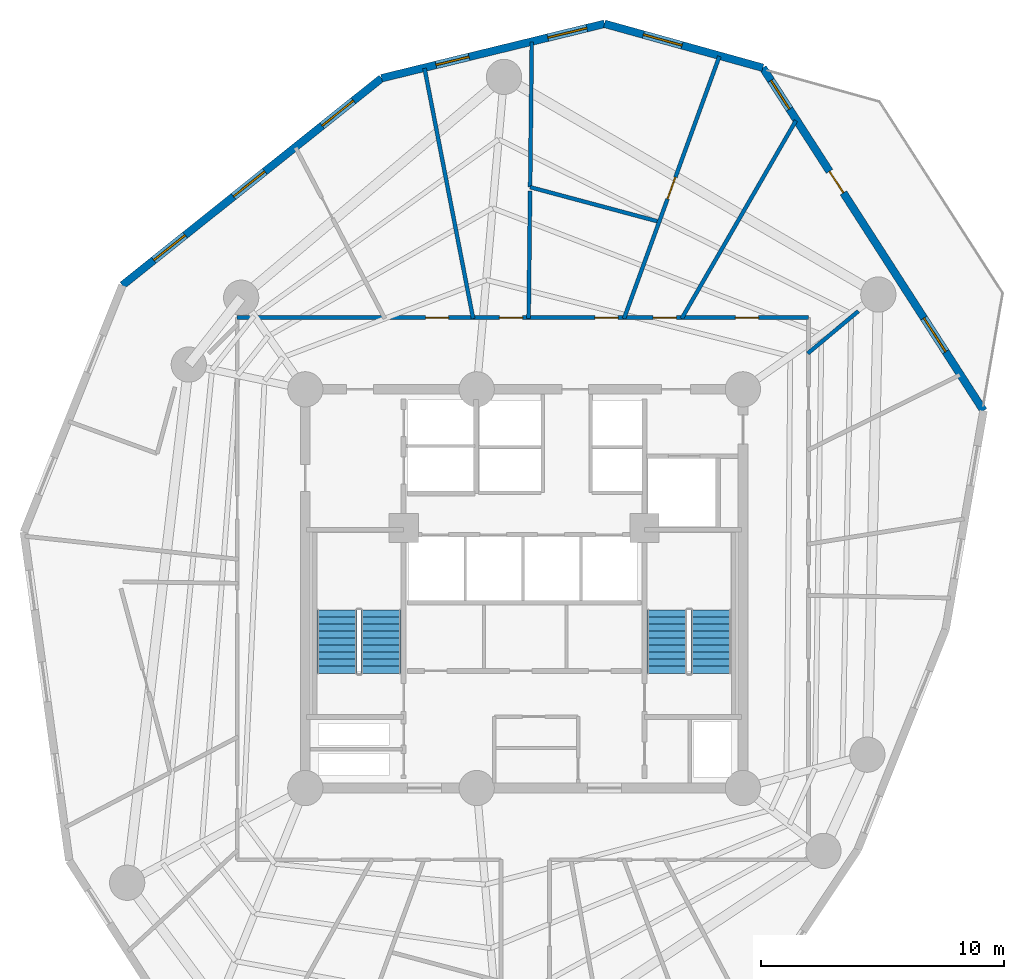
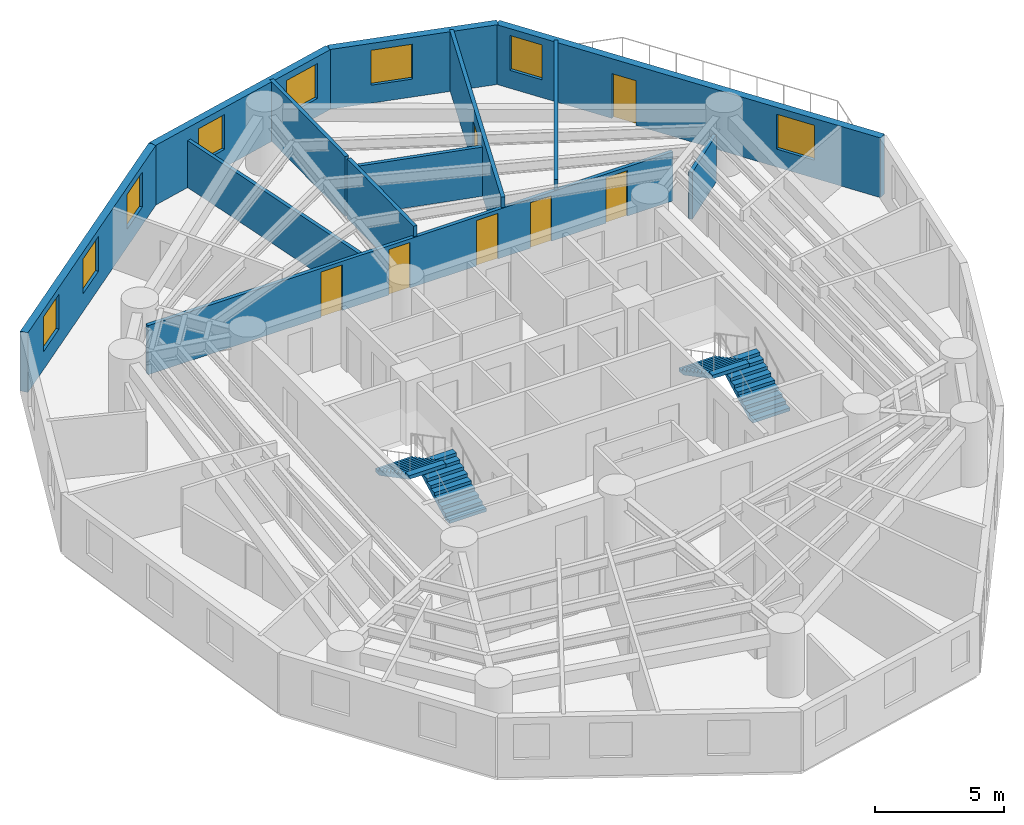
# One storey, part 6 of 8: 12 walls, 8 windows, 7 doors, 4 stair flights, 15 openings, 2 elements without a shape of their own.
"""IFC4 building model written with IfcOpenShell, lengths in metres."""

from ifc_helpers import new_model, si_unit, direction, frame, frame_2d, origin, origin_with_axes, place, context, subcontext, project, spatial, polyline, rectangle, outline, extrude, source, transform, mapped, material, layer, layer_set, type_object, element, fill, aggregate, save


model = new_model("IFC4")

# Units and contexts
model_context = context("Model", 3, precision=1e-05, world=origin(), true_north=direction((0.0, 1.0)))
body_context = subcontext(model_context, "Body", "Model", "MODEL_VIEW")
ifc_project = project(units=[si_unit("LENGTHUNIT", "METRE"), si_unit("AREAUNIT", "SQUARE_METRE"), si_unit("VOLUMEUNIT", "CUBIC_METRE"), si_unit("PLANEANGLEUNIT", "RADIAN"), si_unit("MASSUNIT", "GRAM", prefix="KILO")], contexts=[model_context])

# Site, building, storey
site_placement = place(None, origin())
site = spatial("IfcSite", under=ifc_project, at=site_placement, CompositionType="ELEMENT")
building_placement = place(site_placement, origin())
building = spatial("IfcBuilding", under=site, at=building_placement, Name="Karkom Vertical University and Central Library", CompositionType="ELEMENT")
storey_placement = place(building_placement, frame((0.0, 0.0, 132.800048828125)))
storey = spatial("IfcBuildingStorey", under=building, at=storey_placement, Name="L37", CompositionType="ELEMENT", Elevation=132.800048828125)

# Wall, openings, door, windows
ifc_material_1 = material(Name="Brick-faced precast concrete C45/55", Category="masonry")
ifc_layer_1 = layer(ifc_material_1, 0.320068359375)
ifc_layer_set_1 = layer_set([ifc_layer_1], Name="Brick-faced precast concrete C45/55")
wall_type_1 = type_object("IfcWallType", Name="ENV-WL-BRK-320", PredefinedType="SOLIDWALL", material=ifc_layer_set_1)
wall_1_placement = place(storey_placement, frame((47.399658203125, 33.82080078125, 0.0), z_axis=(0.0, 0.0, 1.0), x_axis=(-0.541180462956, 0.840906479054, 0.0)))
wall_1 = element("IfcWall", 1, at=wall_1_placement, inside=storey, type_object=wall_type_1, Name="Level 37 Brick-Faced Precast Facade Wall 08", PredefinedType="SOLIDWALL", context=body_context, shape_type="SweptSolid", body=[
    extrude(rectangle(XDim=16.775634765625, YDim=0.320068359375, at=frame_2d((8.3876953125, 0.0))), origin(), (0.0, 0.0, 1.0), 2.824951171875),
])
opening_1_placement = place(wall_1_placement, frame((2.885009765625, 0.0, 0.85009765625)))
opening_1 = element("IfcOpeningElement", 2, at=opening_1_placement, cuts=wall_1, Name="Opening WN-06", PredefinedType="OPENING", context=body_context, shape_type="SweptSolid", body=[
    extrude(rectangle(XDim=1.64990234375, YDim=1.64990234375, at=frame_2d((0.824951171875, 0.824951171875))), frame((0.0, 0.169921875, 0.0), z_axis=(0.0, -1.0, 0.0), x_axis=(1.0, 0.0, 0.0)), (0.0, 0.0, 1.0), 0.340087890625),
])
opening_2_placement = place(wall_1_placement, frame((14.755859375, 0.0, 0.85009765625)))
opening_2 = element("IfcOpeningElement", 3, at=opening_2_placement, cuts=wall_1, Name="Opening WN-07", PredefinedType="OPENING", context=body_context, shape_type="SweptSolid", body=[
    extrude(rectangle(XDim=1.39990234375, YDim=1.64990234375, at=frame_2d((0.699951171875, 0.824951171875))), frame((0.0, 0.169921875, 0.0), z_axis=(0.0, -1.0, 0.0), x_axis=(1.0, 0.0, 0.0)), (0.0, 0.0, 1.0), 0.340087890625),
])
opening_3_placement = place(wall_1_placement, frame((10.658935546875, 0.0, 0.0)))
opening_3 = element("IfcOpeningElement", 4, at=opening_3_placement, cuts=wall_1, Name="Opening TD-1", PredefinedType="OPENING", context=body_context, shape_type="SweptSolid", body=[
    extrude(rectangle(XDim=1.050048828125, YDim=2.1201171875, at=frame_2d((0.52490234375, 1.06005859375))), frame((0.0, 0.169921875, 0.0), z_axis=(0.0, -1.0, 0.0), x_axis=(1.0, 0.0, 0.0)), (0.0, 0.0, 1.0), 0.340087890625),
])
ifc_material_2 = material(Name="Thermally broken glazed aluminium terrace door", Category="aluminium")
door_type_1 = type_object("IfcDoorType", Name="ENV-DR-TERR", OperationType="NOTDEFINED", PredefinedType="DOOR", material=ifc_material_2)
shared_shape_1 = source(origin_with_axes(), body_context, "Body", "SweptSolid", [
    extrude(rectangle(XDim=1.050048828125, YDim=2.1201171875, at=frame_2d((0.52490234375, 1.06005859375))), frame((0.0, 0.02490234375, 0.0), z_axis=(0.0, -1.0, 0.0), x_axis=(1.0, 0.0, 0.0)), (0.0, 0.0, 1.0), 0.050048828125),
])
door_1_placement = place(opening_3_placement, origin())
door_1 = element("IfcDoor", 5, at=door_1_placement, inside=storey, type_object=door_type_1, Name="Level 37 Outdoor Terrace Access Door", OperationType="SINGLE_SWING_RIGHT", OverallHeight=2.1201171875, OverallWidth=1.050048828125, PredefinedType="DOOR", context=body_context, shape_type="MappedRepresentation", body=[
    mapped(shared_shape_1, transform((0.0, 0.0, 0.0), scale=1.0)),
])
fill(opening_3, door_1)
ifc_material_3 = material(Name="Aluminium thermal-break frame with solar-control IGU", Category="aluminium")
window_type_1 = type_object("IfcWindowType", Name="ENV-WIN-WN-06", PartitioningType="SINGLE_PANEL", PredefinedType="WINDOW", material=ifc_material_3)
shared_shape_2 = source(origin_with_axes(), body_context, "Body", "SweptSolid", [
    extrude(rectangle(XDim=1.64990234375, YDim=1.64990234375, at=frame_2d((0.824951171875, 0.824951171875))), frame((0.0, 0.030029296875, 0.0), z_axis=(0.0, -1.0, 0.0), x_axis=(1.0, 0.0, 0.0)), (0.0, 0.0, 1.0), 0.06005859375),
])
window_1_placement = place(opening_1_placement, origin())
window_1 = element("IfcWindow", 6, at=window_1_placement, inside=storey, type_object=window_type_1, Name="Level 37 Punched Window 8.1", OverallHeight=1.64990234375, OverallWidth=1.64990234375, PartitioningType="SINGLE_PANEL", PredefinedType="WINDOW", context=body_context, shape_type="MappedRepresentation", body=[
    mapped(shared_shape_2, transform((0.0, 0.0, 0.0), scale=1.0)),
])
fill(opening_1, window_1)
window_type_2 = type_object("IfcWindowType", Name="ENV-WIN-WN-07", PartitioningType="SINGLE_PANEL", PredefinedType="WINDOW", material=ifc_material_3)
shared_shape_3 = source(origin_with_axes(), body_context, "Body", "SweptSolid", [
    extrude(rectangle(XDim=1.39990234375, YDim=1.64990234375, at=frame_2d((0.699951171875, 0.824951171875))), frame((0.0, 0.030029296875, 0.0), z_axis=(0.0, -1.0, 0.0), x_axis=(1.0, 0.0, 0.0)), (0.0, 0.0, 1.0), 0.06005859375),
])
window_2_placement = place(opening_2_placement, origin())
window_2 = element("IfcWindow", 7, at=window_2_placement, inside=storey, type_object=window_type_2, Name="Level 37 Punched Window 8.3", OverallHeight=1.64990234375, OverallWidth=1.39990234375, PartitioningType="SINGLE_PANEL", PredefinedType="WINDOW", context=body_context, shape_type="MappedRepresentation", body=[
    mapped(shared_shape_3, transform((0.0, 0.0, 0.0), scale=1.0)),
])
fill(opening_2, window_2)

# Wall, opening, window
wall_2_placement = place(storey_placement, frame((38.321044921875, 47.927490234375, 0.0), z_axis=(0.0, 0.0, 1.0), x_axis=(-0.963524117633, 0.267621513971, 0.0)))
wall_2 = element("IfcWall", 8, at=wall_2_placement, inside=storey, type_object=wall_type_1, Name="Level 37 Brick-Faced Precast Facade Wall 09", PredefinedType="SOLIDWALL", context=body_context, shape_type="SweptSolid", body=[
    extrude(rectangle(XDim=6.7607421875, YDim=0.320068359375, at=frame_2d((3.38037109375, 0.0))), origin(), (0.0, 0.0, 1.0), 2.824951171875),
])
opening_4_placement = place(wall_2_placement, frame((3.45068359375, 0.0, 0.85009765625)))
opening_4 = element("IfcOpeningElement", 9, at=opening_4_placement, cuts=wall_2, Name="Opening WN-06", PredefinedType="OPENING", context=body_context, shape_type="SweptSolid", body=[
    extrude(rectangle(XDim=1.64990234375, YDim=1.64990234375, at=frame_2d((0.824951171875, 0.824951171875))), frame((0.0, 0.169921875, 0.0), z_axis=(0.0, -1.0, 0.0), x_axis=(1.0, 0.0, 0.0)), (0.0, 0.0, 1.0), 0.340087890625),
])
window_3_placement = place(opening_4_placement, origin())
window_3 = element("IfcWindow", 10, at=window_3_placement, inside=storey, type_object=window_type_1, Name="Level 37 Punched Window 9.1", OverallHeight=1.64990234375, OverallWidth=1.64990234375, PartitioningType="SINGLE_PANEL", PredefinedType="WINDOW", context=body_context, shape_type="MappedRepresentation", body=[
    mapped(shared_shape_2, transform((0.0, 0.0, 0.0), scale=1.0)),
])
fill(opening_4, window_3)

# Wall, openings, windows
wall_3_placement = place(storey_placement, frame((31.806884765625, 49.73681640625, 0.0), z_axis=(0.0, 0.0, 1.0), x_axis=(-0.971481548307, -0.237115164634, 0.0)))
wall_3 = element("IfcWall", 11, at=wall_3_placement, inside=storey, type_object=wall_type_1, Name="Level 37 Brick-Faced Precast Facade Wall 10", PredefinedType="SOLIDWALL", context=body_context, shape_type="SweptSolid", body=[
    extrude(rectangle(XDim=9.438720703125, YDim=0.320068359375, at=frame_2d((4.71923828125, 0.0))), origin(), (0.0, 0.0, 1.0), 2.824951171875),
])
opening_5_placement = place(wall_3_placement, frame((0.752197265625, 0.0, 0.85009765625)))
opening_5 = element("IfcOpeningElement", 12, at=opening_5_placement, cuts=wall_3, Name="Opening WN-06", PredefinedType="OPENING", context=body_context, shape_type="SweptSolid", body=[
    extrude(rectangle(XDim=1.64990234375, YDim=1.64990234375, at=frame_2d((0.824951171875, 0.824951171875))), frame((0.0, 0.169921875, 0.0), z_axis=(0.0, -1.0, 0.0), x_axis=(1.0, 0.0, 0.0)), (0.0, 0.0, 1.0), 0.340087890625),
])
opening_6_placement = place(wall_3_placement, frame((5.735107421875, 0.0, 0.85009765625)))
opening_6 = element("IfcOpeningElement", 13, at=opening_6_placement, cuts=wall_3, Name="Opening WN-07", PredefinedType="OPENING", context=body_context, shape_type="SweptSolid", body=[
    extrude(rectangle(XDim=1.39990234375, YDim=1.64990234375, at=frame_2d((0.699951171875, 0.824951171875))), frame((0.0, 0.169921875, 0.0), z_axis=(0.0, -1.0, 0.0), x_axis=(1.0, 0.0, 0.0)), (0.0, 0.0, 1.0), 0.340087890625),
])
window_4_placement = place(opening_5_placement, origin())
window_4 = element("IfcWindow", 14, at=window_4_placement, inside=storey, type_object=window_type_1, Name="Level 37 Punched Window 10.1", OverallHeight=1.64990234375, OverallWidth=1.64990234375, PartitioningType="SINGLE_PANEL", PredefinedType="WINDOW", context=body_context, shape_type="MappedRepresentation", body=[
    mapped(shared_shape_2, transform((0.0, 0.0, 0.0), scale=1.0)),
])
fill(opening_5, window_4)
window_5_placement = place(opening_6_placement, origin())
window_5 = element("IfcWindow", 15, at=window_5_placement, inside=storey, type_object=window_type_2, Name="Level 37 Punched Window 10.2", OverallHeight=1.64990234375, OverallWidth=1.39990234375, PartitioningType="SINGLE_PANEL", PredefinedType="WINDOW", context=body_context, shape_type="MappedRepresentation", body=[
    mapped(shared_shape_3, transform((0.0, 0.0, 0.0), scale=1.0)),
])
fill(opening_6, window_5)

wall_4_placement = place(storey_placement, frame((22.637451171875, 47.498779296875, 0.0), z_axis=(0.0, 0.0, 1.0), x_axis=(-0.781301477926, -0.624153827667, 0.0)))
wall_4 = element("IfcWall", 16, at=wall_4_placement, inside=storey, type_object=wall_type_1, Name="Level 37 Brick-Faced Precast Facade Wall 11", PredefinedType="SOLIDWALL", context=body_context, shape_type="SweptSolid", body=[
    extrude(rectangle(XDim=13.646484375, YDim=0.320068359375, at=frame_2d((6.8232421875, 0.0))), origin(), (0.0, 0.0, 1.0), 2.824951171875),
])
opening_7_placement = place(wall_4_placement, frame((1.481689453125, 0.0, 0.85009765625)))
opening_7 = element("IfcOpeningElement", 17, at=opening_7_placement, cuts=wall_4, Name="Opening WN-06", PredefinedType="OPENING", context=body_context, shape_type="SweptSolid", body=[
    extrude(rectangle(XDim=1.64990234375, YDim=1.64990234375, at=frame_2d((0.824951171875, 0.824951171875))), frame((0.0, 0.169921875, 0.0), z_axis=(0.0, -1.0, 0.0), x_axis=(1.0, 0.0, 0.0)), (0.0, 0.0, 1.0), 0.340087890625),
])
opening_8_placement = place(wall_4_placement, frame((6.146728515625, 0.0, 0.85009765625)))
opening_8 = element("IfcOpeningElement", 18, at=opening_8_placement, cuts=wall_4, Name="Opening WN-06", PredefinedType="OPENING", context=body_context, shape_type="SweptSolid", body=[
    extrude(rectangle(XDim=1.64990234375, YDim=1.64990234375, at=frame_2d((0.824951171875, 0.824951171875))), frame((0.0, 0.169921875, 0.0), z_axis=(0.0, -1.0, 0.0), x_axis=(1.0, 0.0, 0.0)), (0.0, 0.0, 1.0), 0.340087890625),
])
opening_9_placement = place(wall_4_placement, frame((10.34326171875, 0.0, 0.85009765625)))
opening_9 = element("IfcOpeningElement", 19, at=opening_9_placement, cuts=wall_4, Name="Opening WN-06", PredefinedType="OPENING", context=body_context, shape_type="SweptSolid", body=[
    extrude(rectangle(XDim=1.64990234375, YDim=1.64990234375, at=frame_2d((0.824951171875, 0.824951171875))), frame((0.0, 0.169921875, 0.0), z_axis=(0.0, -1.0, 0.0), x_axis=(1.0, 0.0, 0.0)), (0.0, 0.0, 1.0), 0.340087890625),
])
window_6_placement = place(opening_7_placement, origin())
window_6 = element("IfcWindow", 20, at=window_6_placement, inside=storey, type_object=window_type_1, Name="Level 37 Punched Window 11.1", OverallHeight=1.64990234375, OverallWidth=1.64990234375, PartitioningType="SINGLE_PANEL", PredefinedType="WINDOW", context=body_context, shape_type="MappedRepresentation", body=[
    mapped(shared_shape_2, transform((0.0, 0.0, 0.0), scale=1.0)),
])
fill(opening_7, window_6)
window_7_placement = place(opening_8_placement, origin())
window_7 = element("IfcWindow", 21, at=window_7_placement, inside=storey, type_object=window_type_1, Name="Level 37 Punched Window 11.2", OverallHeight=1.64990234375, OverallWidth=1.64990234375, PartitioningType="SINGLE_PANEL", PredefinedType="WINDOW", context=body_context, shape_type="MappedRepresentation", body=[
    mapped(shared_shape_2, transform((0.0, 0.0, 0.0), scale=1.0)),
])
fill(opening_8, window_7)
window_8_placement = place(opening_9_placement, origin())
window_8 = element("IfcWindow", 22, at=window_8_placement, inside=storey, type_object=window_type_1, Name="Level 37 Punched Window 11.3", OverallHeight=1.64990234375, OverallWidth=1.64990234375, PartitioningType="SINGLE_PANEL", PredefinedType="WINDOW", context=body_context, shape_type="MappedRepresentation", body=[
    mapped(shared_shape_2, transform((0.0, 0.0, 0.0), scale=1.0)),
])
fill(opening_9, window_8)

# Wall, openings, doors
ifc_material_4 = material(Name="Insulated metal-stud drywall 160mm", Category="gypsum")
ifc_layer_2 = layer(ifc_material_4, 0.159912109375)
ifc_layer_set_2 = layer_set([ifc_layer_2], Name="Insulated metal-stud drywall 160mm")
wall_type_2 = type_object("IfcWallType", Name="INT-WL-COR-160", PredefinedType="PARTITIONING", material=ifc_layer_set_2)
wall_5_placement = place(storey_placement, frame((16.699951171875, 37.64990234375, 0.0), z_axis=(0.0, 0.0, 1.0), x_axis=(1.0, 0.0, 0.0)))
wall_5 = element("IfcWall", 23, at=wall_5_placement, inside=storey, type_object=wall_type_2, Name="Level 37 Interior Partition Wall L37-CORW-CW-003", PredefinedType="PARTITIONING", context=body_context, shape_type="SweptSolid", body=[
    extrude(rectangle(XDim=23.5, YDim=0.159912109375, at=frame_2d((11.75, 0.0))), origin(), (0.0, 0.0, 1.0), 2.324951171875),
])
opening_10_placement = place(wall_5_placement, frame((20.490234375, 0.0, 0.0)))
opening_10 = element("IfcOpeningElement", 24, at=opening_10_placement, cuts=wall_5, Name="Opening FD-RM2", PredefinedType="OPENING", context=body_context, shape_type="SweptSolid", body=[
    extrude(rectangle(XDim=0.9599609375, YDim=2.14990234375, at=frame_2d((0.47998046875, 1.074951171875))), frame((0.0, 0.08984375, 0.0), z_axis=(0.0, -1.0, 0.0), x_axis=(1.0, 0.0, 0.0)), (0.0, 0.0, 1.0), 0.179931640625),
])
opening_11_placement = place(wall_5_placement, frame((17.110107421875, 0.0, 0.0)))
opening_11 = element("IfcOpeningElement", 25, at=opening_11_placement, cuts=wall_5, Name="Opening D-RM1", PredefinedType="OPENING", context=body_context, shape_type="SweptSolid", body=[
    extrude(rectangle(XDim=0.949951171875, YDim=2.14990234375, at=frame_2d((0.47509765625, 1.074951171875))), frame((0.0, 0.08984375, 0.0), z_axis=(0.0, -1.0, 0.0), x_axis=(1.0, 0.0, 0.0)), (0.0, 0.0, 1.0), 0.179931640625),
])
opening_12_placement = place(wall_5_placement, frame((14.7099609375, 0.0, 0.0)))
opening_12 = element("IfcOpeningElement", 26, at=opening_12_placement, cuts=wall_5, Name="Opening FD-RM2", PredefinedType="OPENING", context=body_context, shape_type="SweptSolid", body=[
    extrude(rectangle(XDim=0.9599609375, YDim=2.14990234375, at=frame_2d((0.47998046875, 1.074951171875))), frame((0.0, 0.08984375, 0.0), z_axis=(0.0, -1.0, 0.0), x_axis=(1.0, 0.0, 0.0)), (0.0, 0.0, 1.0), 0.179931640625),
])
opening_13_placement = place(wall_5_placement, frame((10.784912109375, 0.0, 0.0)))
opening_13 = element("IfcOpeningElement", 27, at=opening_13_placement, cuts=wall_5, Name="Opening D-RM1", PredefinedType="OPENING", context=body_context, shape_type="SweptSolid", body=[
    extrude(rectangle(XDim=0.949951171875, YDim=2.14990234375, at=frame_2d((0.47509765625, 1.074951171875))), frame((0.0, 0.08984375, 0.0), z_axis=(0.0, -1.0, 0.0), x_axis=(1.0, 0.0, 0.0)), (0.0, 0.0, 1.0), 0.179931640625),
])
opening_14_placement = place(wall_5_placement, frame((7.75, 0.0, 0.0)))
opening_14 = element("IfcOpeningElement", 28, at=opening_14_placement, cuts=wall_5, Name="Opening D-RM1", PredefinedType="OPENING", context=body_context, shape_type="SweptSolid", body=[
    extrude(rectangle(XDim=0.949951171875, YDim=2.14990234375, at=frame_2d((0.47509765625, 1.074951171875))), frame((0.0, 0.08984375, 0.0), z_axis=(0.0, -1.0, 0.0), x_axis=(1.0, 0.0, 0.0)), (0.0, 0.0, 1.0), 0.179931640625),
])
ifc_material_5 = material(Name="Fire-rated oak veneer door", Category="wood")
door_type_2 = type_object("IfcDoorType", Name="INT-DR-FRM2", OperationType="NOTDEFINED", PredefinedType="DOOR", material=ifc_material_5)
shared_shape_4 = source(origin_with_axes(), body_context, "Body", "SweptSolid", [
    extrude(rectangle(XDim=0.9599609375, YDim=2.14990234375, at=frame_2d((0.47998046875, 1.074951171875))), frame((0.0, 0.02490234375, 0.0), z_axis=(0.0, -1.0, 0.0), x_axis=(1.0, 0.0, 0.0)), (0.0, 0.0, 1.0), 0.050048828125),
])
door_2_placement = place(opening_10_placement, origin())
door_2 = element("IfcDoor", 29, at=door_2_placement, inside=storey, type_object=door_type_2, Name="Level 37 Room Entry Door 150", OperationType="SINGLE_SWING_LEFT", OverallHeight=2.14990234375, OverallWidth=0.9599609375, PredefinedType="DOOR", context=body_context, shape_type="MappedRepresentation", body=[
    mapped(shared_shape_4, transform((0.0, 0.0, 0.0), scale=1.0)),
])
fill(opening_10, door_2)
door_3_placement = place(opening_12_placement, origin())
door_3 = element("IfcDoor", 30, at=door_3_placement, inside=storey, type_object=door_type_2, Name="Level 37 Room Entry Door 180", OperationType="SINGLE_SWING_LEFT", OverallHeight=2.14990234375, OverallWidth=0.9599609375, PredefinedType="DOOR", context=body_context, shape_type="MappedRepresentation", body=[
    mapped(shared_shape_4, transform((0.0, 0.0, 0.0), scale=1.0)),
])
fill(opening_12, door_3)
ifc_material_6 = material(Name="Solid-core oak veneer door", Category="wood")
door_type_3 = type_object("IfcDoorType", Name="INT-DR-RM1", OperationType="NOTDEFINED", PredefinedType="DOOR", material=ifc_material_6)
shared_shape_5 = source(origin_with_axes(), body_context, "Body", "SweptSolid", [
    extrude(rectangle(XDim=0.949951171875, YDim=2.14990234375, at=frame_2d((0.47509765625, 1.074951171875))), frame((0.0, 0.02490234375, 0.0), z_axis=(0.0, -1.0, 0.0), x_axis=(1.0, 0.0, 0.0)), (0.0, 0.0, 1.0), 0.050048828125),
])
door_4_placement = place(opening_11_placement, origin())
door_4 = element("IfcDoor", 31, at=door_4_placement, inside=storey, type_object=door_type_3, Name="Level 37 Room Entry Door 160", OperationType="SINGLE_SWING_RIGHT", OverallHeight=2.14990234375, OverallWidth=0.949951171875, PredefinedType="DOOR", context=body_context, shape_type="MappedRepresentation", body=[
    mapped(shared_shape_5, transform((0.0, 0.0, 0.0), scale=1.0)),
])
fill(opening_11, door_4)
door_5_placement = place(opening_13_placement, origin())
door_5 = element("IfcDoor", 32, at=door_5_placement, inside=storey, type_object=door_type_3, Name="Level 37 Room Entry Door 190", OperationType="SINGLE_SWING_RIGHT", OverallHeight=2.14990234375, OverallWidth=0.949951171875, PredefinedType="DOOR", context=body_context, shape_type="MappedRepresentation", body=[
    mapped(shared_shape_5, transform((0.0, 0.0, 0.0), scale=1.0)),
])
fill(opening_13, door_5)
door_6_placement = place(opening_14_placement, origin())
door_6 = element("IfcDoor", 33, at=door_6_placement, inside=storey, type_object=door_type_3, Name="Level 37 Room Entry Door 200", OperationType="SINGLE_SWING_LEFT", OverallHeight=2.14990234375, OverallWidth=0.949951171875, PredefinedType="DOOR", context=body_context, shape_type="MappedRepresentation", body=[
    mapped(shared_shape_5, transform((0.0, 0.0, 0.0), scale=1.0)),
])
fill(opening_14, door_6)

# Wall, opening, door
wall_6_placement = place(storey_placement, frame((32.606689453125, 37.607666015625, 0.0), z_axis=(0.0, 0.0, 1.0), x_axis=(0.34201277542, 0.939695302452, 0.0)))
wall_6 = element("IfcWall", 34, at=wall_6_placement, inside=storey, type_object=wall_type_2, Name="Level 37 Interior Partition Wall L37-PW-020", PredefinedType="PARTITIONING", context=body_context, shape_type="SweptSolid", body=[
    extrude(rectangle(XDim=11.482666015625, YDim=0.159912109375, at=frame_2d((5.7412109375, 0.0))), origin(), (0.0, 0.0, 1.0), 2.824951171875),
])
opening_15_placement = place(wall_6_placement, frame((5.2412109375, 0.0, 0.0)))
opening_15 = element("IfcOpeningElement", 35, at=opening_15_placement, cuts=wall_6, Name="Opening D-RM1", PredefinedType="OPENING", context=body_context, shape_type="SweptSolid", body=[
    extrude(rectangle(XDim=0.949951171875, YDim=2.14990234375, at=frame_2d((0.47509765625, 1.074951171875))), frame((0.0, 0.08984375, 0.0), z_axis=(0.0, -1.0, 0.0), x_axis=(1.0, 0.0, 0.0)), (0.0, 0.0, 1.0), 0.179931640625),
])
door_7_placement = place(opening_15_placement, origin())
door_7 = element("IfcDoor", 36, at=door_7_placement, inside=storey, type_object=door_type_3, Name="Level 37 Room Entry Door 170", OperationType="SINGLE_SWING_LEFT", OverallHeight=2.14990234375, OverallWidth=0.949951171875, PredefinedType="DOOR", context=body_context, shape_type="MappedRepresentation", body=[
    mapped(shared_shape_5, transform((0.0, 0.0, 0.0), scale=1.0)),
])
fill(opening_15, door_7)

# Walls
wall_7_placement = place(storey_placement, frame((26.404541015625, 37.60595703125, 0.0), z_axis=(0.0, 0.0, 1.0), x_axis=(-0.190621740305, 0.981663563612, 0.0)))
element("IfcWall", 37, at=wall_7_placement, inside=storey, type_object=wall_type_2, Name="Level 37 Interior Partition Wall L37-PW-024", PredefinedType="PARTITIONING", context=body_context, shape_type="SweptSolid", body=[
    extrude(rectangle(XDim=10.49072265625, YDim=0.159912109375, at=frame_2d((5.245361328125, 0.0))), origin(), (0.0, 0.0, 1.0), 2.224853515625),
])
wall_8_placement = place(storey_placement, frame((34.981689453125, 37.611083984375, 0.0), z_axis=(0.0, 0.0, 1.0), x_axis=(0.499853576741, 0.86610992479, 0.0)))
element("IfcWall", 38, at=wall_8_placement, inside=storey, type_object=wall_type_2, Name="Level 37 Interior Partition Wall L37-PW-019", PredefinedType="PARTITIONING", context=body_context, shape_type="SweptSolid", body=[
    extrude(rectangle(XDim=9.402099609375, YDim=0.159912109375, at=frame_2d((4.701171875, 0.0))), origin(), (0.0, 0.0, 1.0), 2.824951171875),
])
wall_9_placement = place(storey_placement, frame((28.747802734375, 43.016357421875, 0.0), z_axis=(0.0, 0.0, 1.0), x_axis=(0.011381975681, 0.999935223217, 0.0)))
element("IfcWall", 39, at=wall_9_placement, inside=storey, type_object=wall_type_2, Name="Level 37 Interior Partition Wall L37-PW-022", PredefinedType="PARTITIONING", context=body_context, shape_type="SweptSolid", body=[
    extrude(rectangle(XDim=5.963134765625, YDim=0.159912109375, at=frame_2d((2.9814453125, 0.0))), origin(), (0.0, 0.0, 1.0), 2.824951171875),
])
wall_10_placement = place(storey_placement, frame((33.97314453125, 41.6162109375, 0.0), z_axis=(0.0, 0.0, 1.0), x_axis=(-0.965924884927, 0.258822558289, 0.0)))
element("IfcWall", 40, at=wall_10_placement, inside=storey, type_object=wall_type_2, Name="Level 37 Interior Partition Wall L37-PW-021", PredefinedType="PARTITIONING", context=body_context, shape_type="SweptSolid", body=[
    extrude(rectangle(XDim=5.40966796875, YDim=0.159912109375, at=frame_2d((2.704833984375, 0.0))), origin(), (0.0, 0.0, 1.0), 2.324951171875),
])
wall_11_placement = place(storey_placement, frame((28.6865234375, 37.6201171875, 0.0), z_axis=(0.0, 0.0, 1.0), x_axis=(0.011386763484, 0.999935168707, 0.0)))
element("IfcWall", 41, at=wall_11_placement, inside=storey, type_object=wall_type_2, Name="Level 37 Interior Partition Wall L37-PW-023", PredefinedType="PARTITIONING", context=body_context, shape_type="SweptSolid", body=[
    extrude(rectangle(XDim=5.2314453125, YDim=0.159912109375, at=frame_2d((2.61572265625, 0.0))), origin(), (0.0, 0.0, 1.0), 2.824951171875),
])
wall_12_placement = place(storey_placement, frame((40.16552734375, 36.175048828125, 0.0), z_axis=(0.0, 0.0, 1.0), x_axis=(0.767203889696, 0.641403298741, 0.0)))
element("IfcWall", 42, at=wall_12_placement, inside=storey, type_object=wall_type_2, Name="Level 37 Interior Partition Wall L37-PW-018", PredefinedType="PARTITIONING", context=body_context, shape_type="SweptSolid", body=[
    extrude(rectangle(XDim=2.717041015625, YDim=0.159912109375, at=frame_2d((1.3583984375, 0.0))), origin(), (0.0, 0.0, 1.0), 2.224853515625),
])

# Stair, stair flights
ifc_material_7 = material(Name="Concrete C45/55", Category="concrete")
stair_type = type_object("IfcStairType", Name="INT-STR-ST-MAIN", PredefinedType="HALF_TURN_STAIR", material=ifc_material_7)
stair_1_placement = place(storey_placement, origin())
stair_1 = element("IfcStair", 43, at=stair_1_placement, inside=storey, type_object=stair_type, Name="Level 37 Tower Protected Exit Stair ST-1", PredefinedType="HALF_TURN_STAIR")
stair_flight_type = type_object("IfcStairFlightType", Name="INT-SFL-ST-MAIN", PredefinedType="STRAIGHT", material=ifc_material_7)
stair_flight_1_placement = place(storey_placement, frame((22.614990234375, 23.02001953125, 0.0), z_axis=(0.0, 0.0, 1.0), x_axis=(0.0, 1.0, 0.0)))
stair_flight_1 = element("IfcStairFlight", 44, at=stair_flight_1_placement, type_object=stair_flight_type, Name="ST-1 flight 1", NumberOfRisers=10, NumberOfTreads=9, PredefinedType="STRAIGHT", RiserHeight=0.1525, TreadLength=0.29, context=body_context, shape_type="SweptSolid", body=[
    extrude(outline(polyline([(0.0, 0.0), (0.0, 0.152587890625), (0.2900390625, 0.152587890625), (0.2900390625, 0.304931640625), (0.580078125, 0.304931640625), (0.580078125, 0.45751953125), (0.8701171875, 0.45751953125), (0.8701171875, 0.610107421875), (1.159912109375, 0.610107421875), (1.159912109375, 0.762451171875), (1.449951171875, 0.762451171875), (1.449951171875, 0.9150390625), (1.739990234375, 0.9150390625), (1.739990234375, 1.0673828125), (2.030029296875, 1.0673828125), (2.030029296875, 1.219970703125), (2.320068359375, 1.219970703125), (2.320068359375, 1.37255859375), (2.610107421875, 1.37255859375), (2.610107421875, 1.52490234375), (2.610107421875, 1.203125), (0.322021484375, 0.0), (0.0, 0.0)])), frame((0.0, 0.824951171875, 0.0), z_axis=(0.0, -1.0, 0.0), x_axis=(1.0, 0.0, 0.0)), (0.0, 0.0, 1.0), 1.64990234375),
])
stair_flight_2_placement = place(storey_placement, frame((20.804931640625, 25.6298828125, 1.52490234375), z_axis=(0.0, 0.0, 1.0), x_axis=(0.0, -1.0, 0.0)))
stair_flight_2 = element("IfcStairFlight", 45, at=stair_flight_2_placement, type_object=stair_flight_type, Name="ST-1 flight 2", NumberOfRisers=10, NumberOfTreads=9, PredefinedType="STRAIGHT", RiserHeight=0.1525, TreadLength=0.29, context=body_context, shape_type="SweptSolid", body=[
    extrude(outline(polyline([(0.0, 0.0), (0.0, 0.152587890625), (0.2900390625, 0.152587890625), (0.2900390625, 0.304931640625), (0.580078125, 0.304931640625), (0.580078125, 0.45751953125), (0.8701171875, 0.45751953125), (0.8701171875, 0.610107421875), (1.159912109375, 0.610107421875), (1.159912109375, 0.762451171875), (1.449951171875, 0.762451171875), (1.449951171875, 0.9150390625), (1.739990234375, 0.9150390625), (1.739990234375, 1.0673828125), (2.030029296875, 1.0673828125), (2.030029296875, 1.219970703125), (2.320068359375, 1.219970703125), (2.320068359375, 1.37255859375), (2.610107421875, 1.37255859375), (2.610107421875, 1.52490234375), (2.610107421875, 1.203125), (0.322021484375, 0.0), (0.0, 0.0)])), frame((0.0, 0.824951171875, 0.0), z_axis=(0.0, -1.0, 0.0), x_axis=(1.0, 0.0, 0.0)), (0.0, 0.0, 1.0), 1.64990234375),
])
aggregate(stair_1, [stair_flight_1, stair_flight_2])

stair_2_placement = place(storey_placement, origin())
stair_2 = element("IfcStair", 46, at=stair_2_placement, inside=storey, type_object=stair_type, Name="Level 37 Tower Protected Exit Stair ST-2", PredefinedType="HALF_TURN_STAIR")
stair_flight_3_placement = place(storey_placement, frame((36.195068359375, 23.02001953125, 0.0), z_axis=(0.0, 0.0, 1.0), x_axis=(0.0, 1.0, 0.0)))
stair_flight_3 = element("IfcStairFlight", 47, at=stair_flight_3_placement, type_object=stair_flight_type, Name="ST-2 flight 1", NumberOfRisers=10, NumberOfTreads=9, PredefinedType="STRAIGHT", RiserHeight=0.1525, TreadLength=0.29, context=body_context, shape_type="SweptSolid", body=[
    extrude(outline(polyline([(0.0, 0.0), (0.0, 0.152587890625), (0.2900390625, 0.152587890625), (0.2900390625, 0.304931640625), (0.580078125, 0.304931640625), (0.580078125, 0.45751953125), (0.8701171875, 0.45751953125), (0.8701171875, 0.610107421875), (1.159912109375, 0.610107421875), (1.159912109375, 0.762451171875), (1.449951171875, 0.762451171875), (1.449951171875, 0.9150390625), (1.739990234375, 0.9150390625), (1.739990234375, 1.0673828125), (2.030029296875, 1.0673828125), (2.030029296875, 1.219970703125), (2.320068359375, 1.219970703125), (2.320068359375, 1.37255859375), (2.610107421875, 1.37255859375), (2.610107421875, 1.52490234375), (2.610107421875, 1.203125), (0.322021484375, 0.0), (0.0, 0.0)])), frame((0.0, 0.824951171875, 0.0), z_axis=(0.0, -1.0, 0.0), x_axis=(1.0, 0.0, 0.0)), (0.0, 0.0, 1.0), 1.64990234375),
])
stair_flight_4_placement = place(storey_placement, frame((34.385009765625, 25.6298828125, 1.52490234375), z_axis=(0.0, 0.0, 1.0), x_axis=(0.0, -1.0, 0.0)))
stair_flight_4 = element("IfcStairFlight", 48, at=stair_flight_4_placement, type_object=stair_flight_type, Name="ST-2 flight 2", NumberOfRisers=10, NumberOfTreads=9, PredefinedType="STRAIGHT", RiserHeight=0.1525, TreadLength=0.29, context=body_context, shape_type="SweptSolid", body=[
    extrude(outline(polyline([(0.0, 0.0), (0.0, 0.152587890625), (0.2900390625, 0.152587890625), (0.2900390625, 0.304931640625), (0.580078125, 0.304931640625), (0.580078125, 0.45751953125), (0.8701171875, 0.45751953125), (0.8701171875, 0.610107421875), (1.159912109375, 0.610107421875), (1.159912109375, 0.762451171875), (1.449951171875, 0.762451171875), (1.449951171875, 0.9150390625), (1.739990234375, 0.9150390625), (1.739990234375, 1.0673828125), (2.030029296875, 1.0673828125), (2.030029296875, 1.219970703125), (2.320068359375, 1.219970703125), (2.320068359375, 1.37255859375), (2.610107421875, 1.37255859375), (2.610107421875, 1.52490234375), (2.610107421875, 1.203125), (0.322021484375, 0.0), (0.0, 0.0)])), frame((0.0, 0.824951171875, 0.0), z_axis=(0.0, -1.0, 0.0), x_axis=(1.0, 0.0, 0.0)), (0.0, 0.0, 1.0), 1.64990234375),
])
aggregate(stair_2, [stair_flight_3, stair_flight_4])

save(model, "model.ifc")
